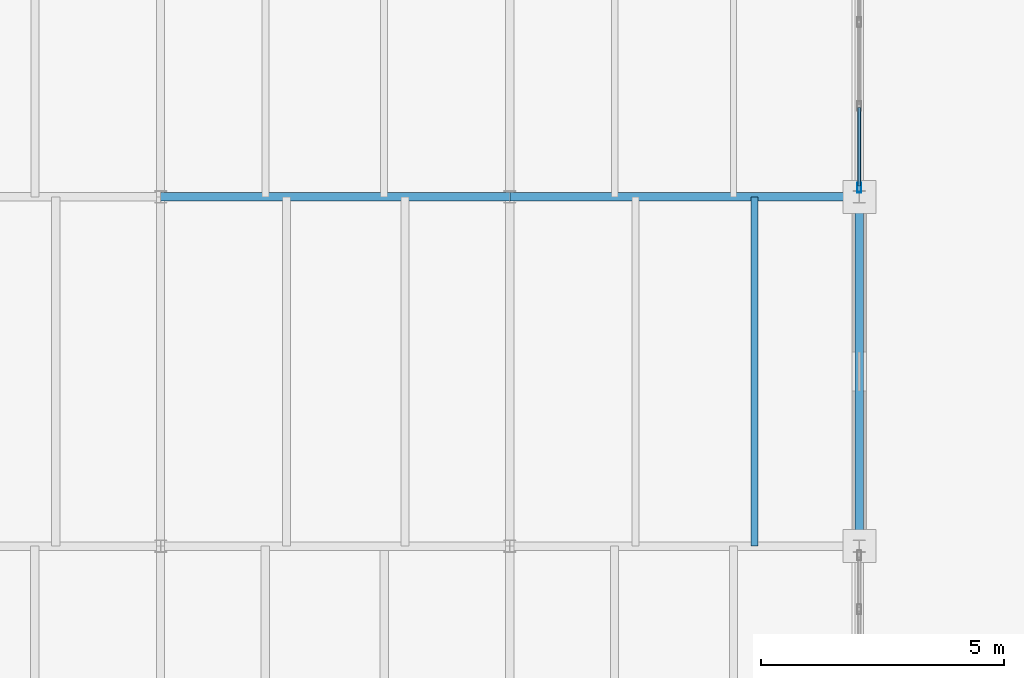
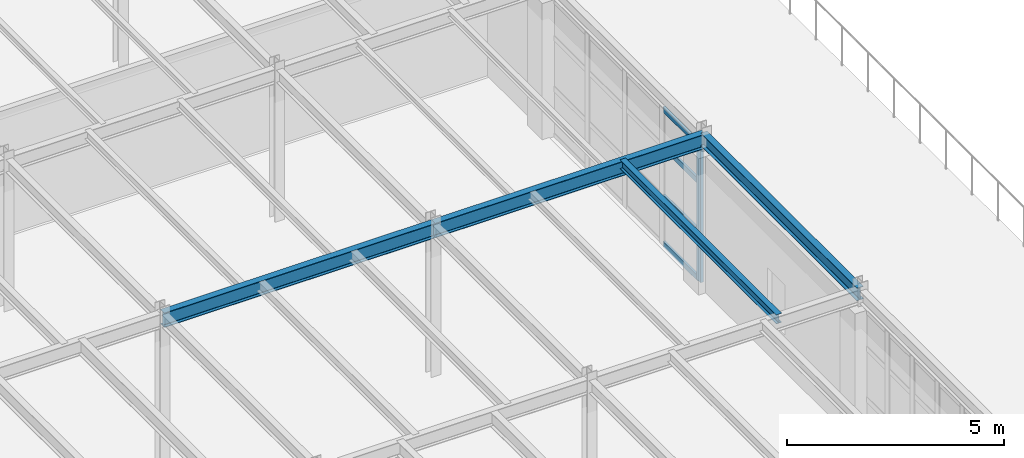
# One storey, part 15 of 36: 5 members, 4 beams, 1 element without a shape of its own.
"""IFC4 building model written with IfcOpenShell, lengths in metres."""

from ifc_helpers import new_model, si_unit, direction, frame, origin, origin_2d, place, context, subcontext, project, spatial, hollow_rectangle, i_section, extrude, material, layer, layer_set, material_profile, profile_set, type_object, element, aggregate, save


model = new_model("IFC4")

# Units and contexts
model_context = context("Model", 3, precision=1e-05, world=origin(), true_north=direction((0.0, 1.0)))
body_context = subcontext(model_context, "Body", "Model", "MODEL_VIEW")
ifc_project = project(units=[si_unit("LENGTHUNIT", "METRE"), si_unit("AREAUNIT", "SQUARE_METRE"), si_unit("VOLUMEUNIT", "CUBIC_METRE"), si_unit("PLANEANGLEUNIT", "RADIAN"), si_unit("MASSUNIT", "GRAM", prefix="KILO")], contexts=[model_context])

# Site, building, storey
site_placement = place(None, origin())
site = spatial("IfcSite", under=ifc_project, at=site_placement, CompositionType="ELEMENT")
building_placement = place(site_placement, origin())
building = spatial("IfcBuilding", under=site, at=building_placement, Name="Kemerveld Promenade Tramway Depot", CompositionType="ELEMENT")
storey_placement = place(building_placement, frame((0.0, 0.0, 14.39990234375)))
storey = spatial("IfcBuildingStorey", under=building, at=storey_placement, Name="L03", CompositionType="ELEMENT", Elevation=14.39990234375)

# Beams
ifc_material_1 = material(Name="Steel S355", Category="steel")
ifc_material_profile_1 = material_profile(ifc_material_1, i_section(OverallWidth=0.1787109375, OverallDepth=0.409423828125, WebThickness=0.0087890625, FlangeThickness=0.014404296875, FilletRadius=0.01025390625, at=origin_2d()), Name="406x178x67 UB")
ifc_profile_set_1 = profile_set([ifc_material_profile_1], Name="Steel S355")
beam_type_1 = type_object("IfcBeamType", Name="BM-G07", PredefinedType="BEAM", material=ifc_profile_set_1)
for number, where, z_axis, x_axis, name in (
    (1, (28.800048828125, 14.39990234375, 4.080322265625), (1.0, 0.0, 0.0), (0.0, 1.0, 0.0), "BMX-L03-05-06-C"),
    (2, (36.0, 14.39990234375, 4.080322265625), (1.0, 0.0, 0.0), (0.0, 1.0, 0.0), "BMX-L03-06-07-C"),
):
    element("IfcBeam", number, at=place(storey_placement, frame(where, z_axis=z_axis, x_axis=x_axis)), inside=storey, type_object=beam_type_1, Name=name, PredefinedType="BEAM", context=body_context, shape_type="SweptSolid", body=[
        extrude(i_section(OverallWidth=0.1787109375, OverallDepth=0.409423828125, WebThickness=0.0087890625, FlangeThickness=0.014404296875, FilletRadius=0.01025390625, at=origin_2d()), origin(), (0.0, 0.0, 1.0), 7.199951171875),
    ])
ifc_material_profile_2 = material_profile(ifc_material_1, i_section(OverallWidth=0.172119140625, OverallDepth=0.35791015625, WebThickness=0.008056640625, FlangeThickness=0.012939453125, FilletRadius=0.01025390625, at=origin_2d()), Name="356x171x57 UB")
ifc_profile_set_2 = profile_set([ifc_material_profile_2], Name="Steel S355")
beam_type_2 = type_object("IfcBeamType", Name="BM-G08", PredefinedType="BEAM", material=ifc_profile_set_2)
beam_1_placement = place(storey_placement, frame((43.199951171875, 7.199951171875, 4.106201171875), z_axis=(0.0, 1.0, 0.0), x_axis=(-1.0, 0.0, 0.0)))
element("IfcBeam", 3, at=beam_1_placement, inside=storey, type_object=beam_type_2, Name="BMY-L03-07-B-C", PredefinedType="BEAM", context=body_context, shape_type="SweptSolid", body=[
    extrude(i_section(OverallWidth=0.172119140625, OverallDepth=0.35791015625, WebThickness=0.008056640625, FlangeThickness=0.012939453125, FilletRadius=0.01025390625, at=origin_2d()), origin(), (0.0, 0.0, 1.0), 7.199951171875),
])
ifc_material_profile_3 = material_profile(ifc_material_1, i_section(OverallWidth=0.146484375, OverallDepth=0.256103515625, WebThickness=0.00634765625, FlangeThickness=0.010986328125, FilletRadius=0.007568359375, at=origin_2d()), Name="254x146x37 UB")
ifc_profile_set_3 = profile_set([ifc_material_profile_3], Name="Steel S355")
beam_type_3 = type_object("IfcBeamType", Name="BM-J02", PredefinedType="JOIST", material=ifc_profile_set_3)
beam_2_placement = place(storey_placement, frame((41.0400390625, 7.199951171875, 4.156982421875), z_axis=(0.0, 1.0, 0.0), x_axis=(-1.0, 0.0, 0.0)))
element("IfcBeam", 4, at=beam_2_placement, inside=storey, type_object=beam_type_3, Name="JST-L03-06-B-2", PredefinedType="JOIST", context=body_context, shape_type="SweptSolid", body=[
    extrude(i_section(OverallWidth=0.146484375, OverallDepth=0.256103515625, WebThickness=0.00634765625, FlangeThickness=0.010986328125, FilletRadius=0.007568359375, at=origin_2d()), origin(), (0.0, 0.0, 1.0), 7.199951171875),
])

# Curtain wall, members
ifc_material_2 = material(Name="Bronze anodised aluminium and solar glass", Category="aluminium")
ifc_layer = layer(ifc_material_2, 0.199951171875)
ifc_layer_set = layer_set([ifc_layer], Name="CW-SYS-10")
curtain_wall_type = type_object("IfcCurtainWallType", Name="CW-SYS-10", PredefinedType="USERDEFINED", material=ifc_layer_set)
curtain_wall_placement = place(storey_placement, origin())
curtain_wall = element("IfcCurtainWall", 5, at=curtain_wall_placement, inside=storey, type_object=curtain_wall_type, Name="CW-L03-V5E-07", ObjectType="GLAZED_CURTAIN_WALL", PredefinedType="USERDEFINED")
ifc_material_3 = material(Name="Bronze anodised aluminium", Category="aluminium")
ifc_material_profile_4 = material_profile(ifc_material_3, hollow_rectangle(XDim=0.074951171875, YDim=0.199951171875, WallThickness=0.0048828125, InnerFilletRadius=0.001953125, OuterFilletRadius=0.0048828125, at=origin_2d()), Name="CW-MUL-200x75")
ifc_profile_set_4 = profile_set([ifc_material_profile_4], Name="Bronze anodised aluminium")
member_type_1 = type_object("IfcMemberType", Name="CW-MUL-B", PredefinedType="MULLION", material=ifc_profile_set_4)
member_1_placement = place(storey_placement, frame((43.199951171875, 14.587646484375, 0.0), z_axis=(0.0, 0.0, 1.0), x_axis=(1.0, 0.0, 0.0)))
member_1 = element("IfcMember", 6, at=member_1_placement, type_object=member_type_1, Name="CW10 mullion 5", PredefinedType="MULLION", context=body_context, shape_type="SweptSolid", body=[
    extrude(hollow_rectangle(XDim=0.074951171875, YDim=0.199951171875, WallThickness=0.0048828125, InnerFilletRadius=0.001953125, OuterFilletRadius=0.0048828125, at=origin_2d()), origin(), (0.0, 0.0, 1.0), 3.85009765625),
])
ifc_material_profile_5 = material_profile(ifc_material_3, hollow_rectangle(XDim=0.06494140625, YDim=0.14990234375, WallThickness=0.00439453125, InnerFilletRadius=0.001953125, OuterFilletRadius=0.00439453125, at=origin_2d()), Name="CW-TRN-150x65")
ifc_profile_set_5 = profile_set([ifc_material_profile_5], Name="Bronze anodised aluminium")
member_type_2 = type_object("IfcMemberType", Name="CW-TRN-B", PredefinedType="USERDEFINED", material=ifc_profile_set_5)
member_2_placement = place(storey_placement, frame((43.199951171875, 16.237548828125, 0.03271484375), z_axis=(0.0, -1.0, 0.0), x_axis=(1.0, 0.0, 0.0)))
member_2 = element("IfcMember", 7, at=member_2_placement, type_object=member_type_2, Name="CW10 transom 4.1", ObjectType="TRANSOM", PredefinedType="USERDEFINED", context=body_context, shape_type="SweptSolid", body=[
    extrude(hollow_rectangle(XDim=0.06494140625, YDim=0.14990234375, WallThickness=0.00439453125, InnerFilletRadius=0.001953125, OuterFilletRadius=0.00439453125, at=origin_2d()), origin(), (0.0, 0.0, 1.0), 1.6123046875),
])
member_3_placement = place(storey_placement, frame((43.199951171875, 16.237548828125, 1.34814453125), z_axis=(0.0, -1.0, 0.0), x_axis=(1.0, 0.0, 0.0)))
member_3 = element("IfcMember", 8, at=member_3_placement, type_object=member_type_2, Name="CW10 transom 4.2", ObjectType="TRANSOM", PredefinedType="USERDEFINED", context=body_context, shape_type="SweptSolid", body=[
    extrude(hollow_rectangle(XDim=0.06494140625, YDim=0.14990234375, WallThickness=0.00439453125, InnerFilletRadius=0.001953125, OuterFilletRadius=0.00439453125, at=origin_2d()), origin(), (0.0, 0.0, 1.0), 1.6123046875),
])
member_4_placement = place(storey_placement, frame((43.199951171875, 16.237548828125, 2.772216796875), z_axis=(0.0, -1.0, 0.0), x_axis=(1.0, 0.0, 0.0)))
member_4 = element("IfcMember", 9, at=member_4_placement, type_object=member_type_2, Name="CW10 transom 4.3", ObjectType="TRANSOM", PredefinedType="USERDEFINED", context=body_context, shape_type="SweptSolid", body=[
    extrude(hollow_rectangle(XDim=0.06494140625, YDim=0.14990234375, WallThickness=0.00439453125, InnerFilletRadius=0.001953125, OuterFilletRadius=0.00439453125, at=origin_2d()), origin(), (0.0, 0.0, 1.0), 1.6123046875),
])
member_5_placement = place(storey_placement, frame((43.199951171875, 16.237548828125, 3.817626953125), z_axis=(0.0, -1.0, 0.0), x_axis=(1.0, 0.0, 0.0)))
member_5 = element("IfcMember", 10, at=member_5_placement, type_object=member_type_2, Name="CW10 transom 4.4", ObjectType="TRANSOM", PredefinedType="USERDEFINED", context=body_context, shape_type="SweptSolid", body=[
    extrude(hollow_rectangle(XDim=0.06494140625, YDim=0.14990234375, WallThickness=0.00439453125, InnerFilletRadius=0.001953125, OuterFilletRadius=0.00439453125, at=origin_2d()), origin(), (0.0, 0.0, 1.0), 1.6123046875),
])
aggregate(curtain_wall, [member_1, member_2, member_3, member_4, member_5])

save(model, "model.ifc")
